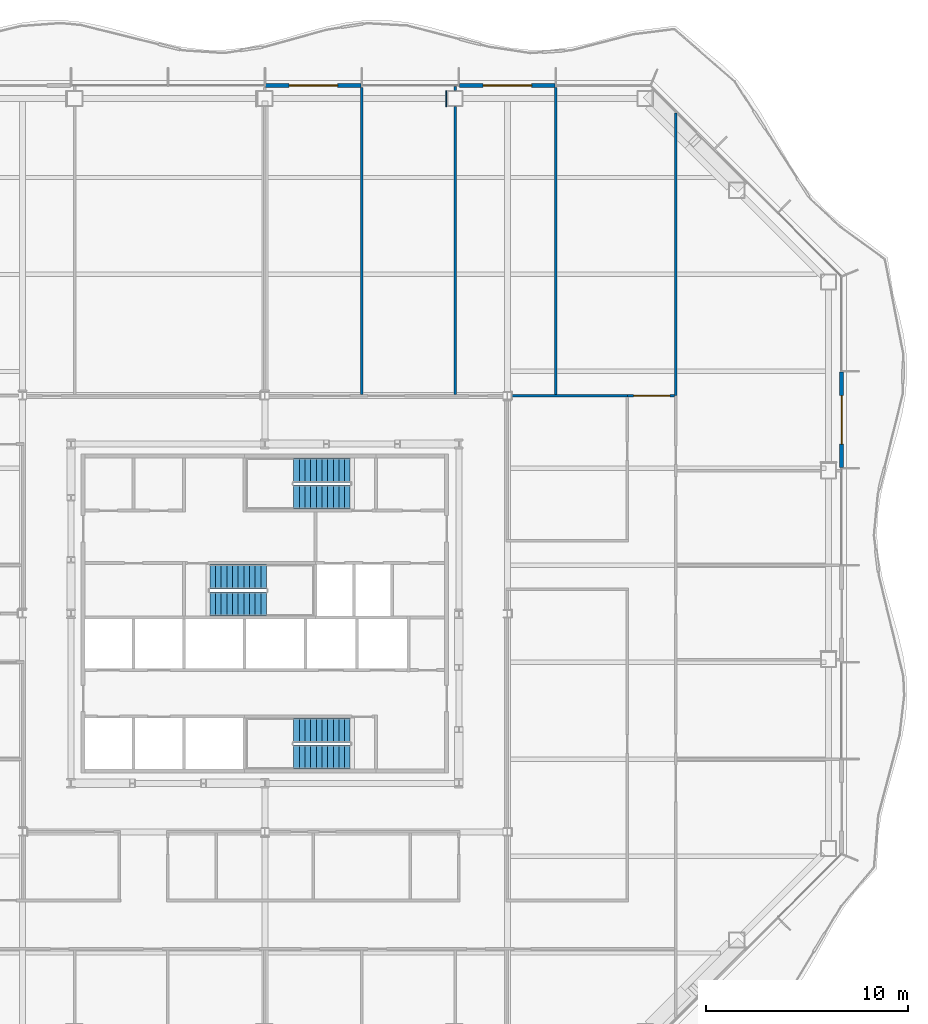
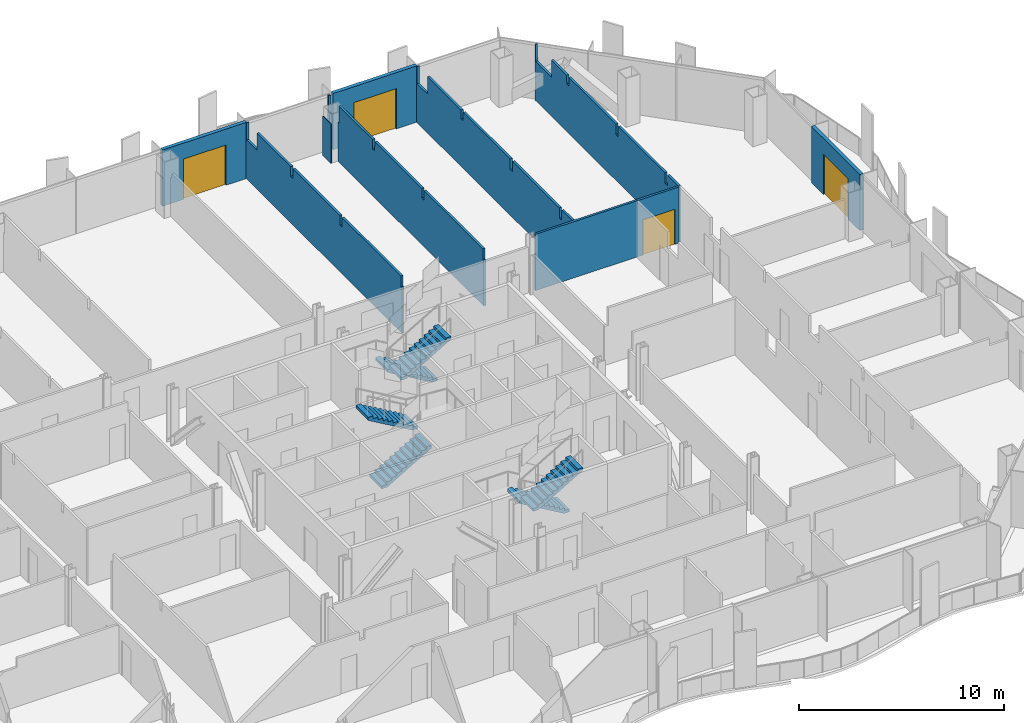
# One storey, part 14 of 23: 11 walls, 6 stair flights, 4 doors, 4 openings, 3 elements without a shape of their own.
"""IFC4 building model written with IfcOpenShell, lengths in metres."""

from ifc_helpers import new_model, si_unit, direction, frame, frame_2d, origin, place, context, subcontext, project, spatial, polyline, rectangle, outline, extrude, material, layer, layer_set, type_object, element, fill, aggregate, save


model = new_model("IFC4")

# Units and contexts
model_context = context("Model", 3, precision=1e-05, world=origin(), true_north=direction((0.0, 1.0)))
body_context = subcontext(model_context, "Body", "Model", "MODEL_VIEW")
ifc_project = project(units=[si_unit("LENGTHUNIT", "METRE"), si_unit("AREAUNIT", "SQUARE_METRE"), si_unit("VOLUMEUNIT", "CUBIC_METRE"), si_unit("PLANEANGLEUNIT", "RADIAN"), si_unit("MASSUNIT", "GRAM", prefix="KILO")], contexts=[model_context])

# Site, building, storey
site_placement = place(None, origin())
site = spatial("IfcSite", under=ifc_project, at=site_placement, CompositionType="ELEMENT")
building_placement = place(site_placement, origin())
building = spatial("IfcBuilding", under=site, at=building_placement, Name="Cairn Pilgrim Tower", CompositionType="ELEMENT")
storey_placement = place(building_placement, frame((0.0, 0.0, 115.800048828125)))
storey = spatial("IfcBuildingStorey", under=building, at=storey_placement, Name="L28", CompositionType="ELEMENT", Elevation=115.800048828125)

# Wall, opening, door
ifc_material_1 = material(Name="Bronze anodised aluminium insulated sandwich panel with mineral wool fill", Category="aluminium")
ifc_layer_1 = layer(ifc_material_1, 0.199951171875)
ifc_layer_set_1 = layer_set([ifc_layer_1], Name="BRONZE INFILL FRAME WALL 200")
wall_type_1 = type_object("IfcWallType", Name="BRONZE INFILL FRAME WALL 200", PredefinedType="NOTDEFINED", material=ifc_layer_set_1)
wall_1_placement = place(storey_placement, frame((35.75, 9.6298828125, 0.0), z_axis=(0.0, 0.0, 1.0), x_axis=(0.0, 1.0, 0.0)))
wall_1 = element("IfcWall", 1, at=wall_1_placement, inside=storey, type_object=wall_type_1, Name="Bronze infill frame wall IW-E5", PredefinedType="NOTDEFINED", context=body_context, shape_type="SweptSolid", body=[
    extrude(rectangle(XDim=4.740234375, YDim=0.199951171875, at=frame_2d((2.3701171875, 0.0))), origin(), (0.0, 0.0, 1.0), 3.349853515625),
])
opening_1_placement = place(wall_1_placement, frame((1.169921875, 0.0, 0.0)))
opening_1 = element("IfcOpeningElement", 2, at=opening_1_placement, cuts=wall_1, Name="Opening 2828B", PredefinedType="OPENING", context=body_context, shape_type="SweptSolid", body=[
    extrude(rectangle(XDim=2.39990234375, YDim=2.39990234375, at=frame_2d((1.199951171875, 1.199951171875))), frame((0.0, 0.10986328125, 0.0), z_axis=(0.0, -1.0, 0.0), x_axis=(1.0, 0.0, 0.0)), (0.0, 0.0, 1.0), 0.219970703125),
])
ifc_material_2 = material(Name="Bronze anodised aluminium frame with tinted low-E glass", Category="aluminium")
door_type_1 = type_object("IfcDoorType", Name="BALCONY SLIDING DOOR 2400x2400", OperationType="DOUBLE_DOOR_SLIDING", PredefinedType="DOOR", material=ifc_material_2)
door_1_placement = place(opening_1_placement, origin())
door_1 = element("IfcDoor", 3, at=door_1_placement, inside=storey, type_object=door_type_1, Name="Balcony sliding door 2828B", OperationType="SINGLE_SWING_LEFT", OverallHeight=2.39990234375, OverallWidth=2.39990234375, PredefinedType="DOOR", context=body_context, shape_type="SweptSolid", body=[
    extrude(rectangle(XDim=2.39990234375, YDim=2.39990234375, at=frame_2d((1.199951171875, 1.199951171875))), frame((0.0, 0.02490234375, 0.0), z_axis=(0.0, -1.0, 0.0), x_axis=(1.0, 0.0, 0.0)), (0.0, 0.0, 1.0), 0.050048828125),
])
fill(opening_1, door_1)

wall_2_placement = place(storey_placement, frame((21.570068359375, 28.550048828125, 0.0), z_axis=(0.0, 0.0, 1.0), x_axis=(-1.0, 0.0, 0.0)))
wall_2 = element("IfcWall", 4, at=wall_2_placement, inside=storey, type_object=wall_type_1, Name="Bronze infill frame wall IW-N2", PredefinedType="NOTDEFINED", context=body_context, shape_type="SweptSolid", body=[
    extrude(rectangle(XDim=4.739990234375, YDim=0.199951171875, at=frame_2d((2.3701171875, 0.0))), origin(), (0.0, 0.0, 1.0), 3.349853515625),
])
opening_2_placement = place(wall_2_placement, frame((1.169921875, 0.0, 0.0)))
opening_2 = element("IfcOpeningElement", 5, at=opening_2_placement, cuts=wall_2, Name="Opening 2822B", PredefinedType="OPENING", context=body_context, shape_type="SweptSolid", body=[
    extrude(rectangle(XDim=2.39990234375, YDim=2.39990234375, at=frame_2d((1.199951171875, 1.199951171875))), frame((0.0, 0.10986328125, 0.0), z_axis=(0.0, -1.0, 0.0), x_axis=(1.0, 0.0, 0.0)), (0.0, 0.0, 1.0), 0.219970703125),
])
door_2_placement = place(opening_2_placement, origin())
door_2 = element("IfcDoor", 6, at=door_2_placement, inside=storey, type_object=door_type_1, Name="Balcony sliding door 2822B", OperationType="SINGLE_SWING_LEFT", OverallHeight=2.39990234375, OverallWidth=2.39990234375, PredefinedType="DOOR", context=body_context, shape_type="SweptSolid", body=[
    extrude(rectangle(XDim=2.39990234375, YDim=2.39990234375, at=frame_2d((1.199951171875, 1.199951171875))), frame((0.0, 0.02490234375, 0.0), z_axis=(0.0, -1.0, 0.0), x_axis=(1.0, 0.0, 0.0)), (0.0, 0.0, 1.0), 0.050048828125),
])
fill(opening_2, door_2)

wall_3_placement = place(storey_placement, frame((11.969970703125, 28.550048828125, 0.0), z_axis=(0.0, 0.0, 1.0), x_axis=(-1.0, 0.0, 0.0)))
wall_3 = element("IfcWall", 7, at=wall_3_placement, inside=storey, type_object=wall_type_1, Name="Bronze infill frame wall IW-N4", PredefinedType="NOTDEFINED", context=body_context, shape_type="SweptSolid", body=[
    extrude(rectangle(XDim=4.739990234375, YDim=0.199951171875, at=frame_2d((2.3701171875, 0.0))), origin(), (0.0, 0.0, 1.0), 3.349853515625),
])
opening_3_placement = place(wall_3_placement, frame((1.169921875, 0.0, 0.0)))
opening_3 = element("IfcOpeningElement", 8, at=opening_3_placement, cuts=wall_3, Name="Opening 2820B", PredefinedType="OPENING", context=body_context, shape_type="SweptSolid", body=[
    extrude(rectangle(XDim=2.39990234375, YDim=2.39990234375, at=frame_2d((1.199951171875, 1.199951171875))), frame((0.0, 0.10986328125, 0.0), z_axis=(0.0, -1.0, 0.0), x_axis=(1.0, 0.0, 0.0)), (0.0, 0.0, 1.0), 0.219970703125),
])
door_3_placement = place(opening_3_placement, origin())
door_3 = element("IfcDoor", 9, at=door_3_placement, inside=storey, type_object=door_type_1, Name="Balcony sliding door 2820B", OperationType="SINGLE_SWING_LEFT", OverallHeight=2.39990234375, OverallWidth=2.39990234375, PredefinedType="DOOR", context=body_context, shape_type="SweptSolid", body=[
    extrude(rectangle(XDim=2.39990234375, YDim=2.39990234375, at=frame_2d((1.199951171875, 1.199951171875))), frame((0.0, 0.02490234375, 0.0), z_axis=(0.0, -1.0, 0.0), x_axis=(1.0, 0.0, 0.0)), (0.0, 0.0, 1.0), 0.050048828125),
])
fill(opening_3, door_3)

# Wall
ifc_material_3 = material(Name="Gypsum partition")
ifc_layer_2 = layer(ifc_material_3, 0.125)
ifc_layer_set_2 = layer_set([ifc_layer_2], Name="PARTITION 125 DRYWALL EI 60")
wall_type_2 = type_object("IfcWallType", Name="PARTITION 125 DRYWALL EI 60", PredefinedType="PARTITIONING", material=ifc_layer_set_2)
wall_4_placement = place(storey_placement, frame((19.404541015625, 13.199951171875, 0.0), z_axis=(0.0, 0.0, 1.0), x_axis=(1.0, 0.0, 0.0)))
element("IfcWall", 10, at=wall_4_placement, inside=storey, type_object=wall_type_2, Name="PARTITION W068", PredefinedType="PARTITIONING", context=body_context, shape_type="SweptSolid", body=[
    extrude(rectangle(XDim=5.745361328125, YDim=0.125, at=frame_2d((2.87255859375, 0.0))), origin(), (0.0, 0.0, 1.0), 3.349853515625),
])

# Wall, opening, door
wall_5_placement = place(storey_placement, frame((25.14990234375, 13.199951171875, 0.0), z_axis=(0.0, 0.0, 1.0), x_axis=(1.0, 0.0, 0.0)))
wall_5 = element("IfcWall", 11, at=wall_5_placement, inside=storey, type_object=wall_type_2, Name="PARTITION W069", PredefinedType="PARTITIONING", context=body_context, shape_type="SweptSolid", body=[
    extrude(rectangle(XDim=2.337646484375, YDim=0.125, at=frame_2d((1.1689453125, 0.0))), origin(), (0.0, 0.0, 1.0), 3.349853515625),
])
opening_4_placement = place(wall_5_placement, frame((0.300048828125, 0.0, 0.0)))
opening_4 = element("IfcOpeningElement", 12, at=opening_4_placement, cuts=wall_5, Name="Opening 2823", PredefinedType="OPENING", context=body_context, shape_type="SweptSolid", body=[
    extrude(rectangle(XDim=1.800048828125, YDim=2.10009765625, at=frame_2d((0.89990234375, 1.050048828125))), frame((0.0, 0.072509765625, 0.0), z_axis=(0.0, -1.0, 0.0), x_axis=(1.0, 0.0, 0.0)), (0.0, 0.0, 1.0), 0.14501953125),
])
ifc_material_4 = material(Name="Timber door leaf", Category="wood")
door_type_2 = type_object("IfcDoorType", Name="DOOR PAIR 1800x2100 FD30S", OperationType="NOTDEFINED", PredefinedType="DOOR", material=ifc_material_4)
door_4_placement = place(opening_4_placement, origin())
door_4 = element("IfcDoor", 13, at=door_4_placement, inside=storey, type_object=door_type_2, Name="DOOR 2823", OperationType="DOUBLE_DOOR_SINGLE_SWING", OverallHeight=2.10009765625, OverallWidth=1.800048828125, PredefinedType="DOOR", context=body_context, shape_type="SweptSolid", body=[
    extrude(rectangle(XDim=1.800048828125, YDim=2.10009765625, at=frame_2d((0.89990234375, 1.050048828125))), frame((0.0, 0.02490234375, 0.0), z_axis=(0.0, -1.0, 0.0), x_axis=(1.0, 0.0, 0.0)), (0.0, 0.0, 1.0), 0.050048828125),
])
fill(opening_4, door_4)

# Walls
wall_6_placement = place(storey_placement, frame((27.550048828125, 13.199951171875, 0.0), z_axis=(0.0, 0.0, 1.0), x_axis=(0.0, 1.0, 0.0)))
element("IfcWall", 14, at=wall_6_placement, inside=storey, type_object=wall_type_2, Name="PARTITION W070", PredefinedType="PARTITIONING", context=body_context, shape_type="SweptSolid", body=[
    extrude(outline(polyline([(0.0, 0.0), (13.98876953125, 0.0), (13.988525390625, 3.349853515625), (13.94677734375, 3.349853515625), (13.94482421875, 2.329833984375), (12.40771484375, 2.329833984375), (12.405517578125, 3.349853515625), (10.89990234375, 3.349853515625), (10.89794921875, 2.829833984375), (10.699951171875, 2.829833984375), (10.697998046875, 3.349853515625), (6.110107421875, 3.349853515625), (6.10791015625, 2.72998046875), (5.889892578125, 2.72998046875), (5.887939453125, 3.349853515625), (1.31005859375, 3.349853515625), (1.30810546875, 2.72998046875), (1.090087890625, 2.72998046875), (1.087890625, 3.349853515625), (0.0, 3.349853515625), (0.0, 0.0)])), frame((0.0, 0.0625, 0.0), z_axis=(0.0, -1.0, 0.0), x_axis=(1.0, 0.0, 0.0)), (0.0, 0.0, 1.0), 0.125),
])
wall_7_placement = place(storey_placement, frame((12.0, 13.262451171875, 0.0), z_axis=(0.0, 0.0, 1.0), x_axis=(0.0, 1.0, 0.0)))
element("IfcWall", 15, at=wall_7_placement, inside=storey, type_object=wall_type_2, Name="PARTITION W074", PredefinedType="PARTITIONING", context=body_context, shape_type="SweptSolid", body=[
    extrude(outline(polyline([(0.0, 0.0), (15.1875, 0.0), (15.1875, 3.349853515625), (15.137451171875, 3.349853515625), (15.135498046875, 2.329833984375), (14.137451171875, 2.329833984375), (14.135498046875, 3.349853515625), (10.842529296875, 3.349853515625), (10.840576171875, 2.780029296875), (10.632568359375, 2.780029296875), (10.630615234375, 3.349853515625), (6.04248046875, 3.349853515625), (6.04052734375, 2.780029296875), (5.83251953125, 2.780029296875), (5.83056640625, 3.349853515625), (0.08740234375, 3.349853515625), (0.08544921875, 2.72998046875), (0.0, 2.72998046875), (0.0, 0.0)])), frame((0.0, 0.0625, 0.0), z_axis=(0.0, -1.0, 0.0), x_axis=(1.0, 0.0, 0.0)), (0.0, 0.0, 1.0), 0.125),
])
wall_8_placement = place(storey_placement, frame((16.614013671875, 13.262451171875, 0.0), z_axis=(0.0, 0.0, 1.0), x_axis=(0.0, 1.0, 0.0)))
element("IfcWall", 16, at=wall_8_placement, inside=storey, type_object=wall_type_2, Name="PARTITION W075", PredefinedType="PARTITIONING", context=body_context, shape_type="SweptSolid", body=[
    extrude(outline(polyline([(0.0, 0.0), (14.237548828125, 0.0), (14.237548828125, 2.329833984375), (14.137451171875, 2.329833984375), (14.135498046875, 3.349853515625), (10.842529296875, 3.349853515625), (10.840576171875, 2.780029296875), (10.632568359375, 2.780029296875), (10.630615234375, 3.349853515625), (6.04248046875, 3.349853515625), (6.04052734375, 2.780029296875), (5.83251953125, 2.780029296875), (5.83056640625, 3.349853515625), (0.08740234375, 3.349853515625), (0.08544921875, 2.72998046875), (0.0, 2.72998046875), (0.0, 0.0)])), frame((0.0, 0.0625, 0.0), z_axis=(0.0, -1.0, 0.0), x_axis=(1.0, 0.0, 0.0)), (0.0, 0.0, 1.0), 0.125),
])
wall_9_placement = place(storey_placement, frame((21.60009765625, 13.262451171875, 0.0), z_axis=(0.0, 0.0, 1.0), x_axis=(0.0, 1.0, 0.0)))
element("IfcWall", 17, at=wall_9_placement, inside=storey, type_object=wall_type_2, Name="PARTITION W076", PredefinedType="PARTITIONING", context=body_context, shape_type="SweptSolid", body=[
    extrude(outline(polyline([(0.0, 0.0), (15.1875, 0.0), (15.1875, 3.349853515625), (15.137451171875, 3.349853515625), (15.135498046875, 2.329833984375), (14.137451171875, 2.329833984375), (14.135498046875, 3.349853515625), (10.83740234375, 3.349853515625), (10.83544921875, 2.829833984375), (10.637451171875, 2.829833984375), (10.635498046875, 3.349853515625), (6.047607421875, 3.349853515625), (6.04541015625, 2.72998046875), (5.827392578125, 2.72998046875), (5.825439453125, 3.349853515625), (1.24755859375, 3.349853515625), (1.24560546875, 2.72998046875), (1.027587890625, 2.72998046875), (1.025390625, 3.349853515625), (0.0, 3.349853515625), (0.0, 0.0)])), frame((0.0, 0.0625, 0.0), z_axis=(0.0, -1.0, 0.0), x_axis=(1.0, 0.0, 0.0)), (0.0, 0.0, 1.0), 0.125),
])
wall_10_placement = place(storey_placement, frame((16.614013671875, 28.300048828125, 0.0), z_axis=(0.0, 0.0, 1.0), x_axis=(0.0, 1.0, 0.0)))
element("IfcWall", 18, at=wall_10_placement, inside=storey, type_object=wall_type_2, Name="PARTITION W084", PredefinedType="PARTITIONING", context=body_context, shape_type="SweptSolid", body=[
    extrude(outline(polyline([(0.0, 0.0), (0.202880859375, 0.0), (0.202880859375, 3.349853515625), (0.10009765625, 3.349853515625), (0.097900390625, 2.329833984375), (0.0, 2.329833984375), (0.0, 0.0)])), frame((0.0, 0.0625, 0.0), z_axis=(0.0, -1.0, 0.0), x_axis=(1.0, 0.0, 0.0)), (0.0, 0.0, 1.0), 0.125),
])
ifc_layer_3 = layer(ifc_material_3, 0.050048828125)
ifc_layer_set_3 = layer_set([ifc_layer_3], Name="PARTITION 50 DRYWALL EI 60")
wall_type_3 = type_object("IfcWallType", Name="PARTITION 50 DRYWALL EI 60", PredefinedType="PARTITIONING", material=ifc_layer_set_3)
wall_11_placement = place(storey_placement, frame((16.188720703125, 27.5, 0.0), z_axis=(0.0, 0.0, 1.0), x_axis=(0.0, 1.0, 0.0)))
element("IfcWall", 19, at=wall_11_placement, inside=storey, type_object=wall_type_3, Name="COLUMN CASING WC32", PredefinedType="PARTITIONING", context=body_context, shape_type="SweptSolid", body=[
    extrude(rectangle(XDim=0.800048828125, YDim=0.050048828125, at=frame_2d((0.39990234375, 0.0))), origin(), (0.0, 0.0, 1.0), 2.329833984375),
])

# Stair, stair flights
ifc_material_5 = material(Name="Concrete C32/40", Category="concrete")
stair_type = type_object("IfcStairType", Name="EXIT STAIR 1200", PredefinedType="HALF_TURN_STAIR", material=ifc_material_5)
stair_1_placement = place(storey_placement, origin())
stair_1 = element("IfcStair", 20, at=stair_1_placement, inside=storey, type_object=stair_type, Name="L28 Exit Stair A", PredefinedType="HALF_TURN_STAIR")
stair_flight_type = type_object("IfcStairFlightType", Name="STAIR FLIGHT 1200", PredefinedType="STRAIGHT", material=ifc_material_5)
stair_flight_1_placement = place(storey_placement, frame((11.425048828125, -3.375, 0.0), z_axis=(0.0, 0.0, 1.0), x_axis=(-1.0, 0.0, 0.0)))
stair_flight_1 = element("IfcStairFlight", 21, at=stair_flight_1_placement, type_object=stair_flight_type, Name="ST-A flight 1", NumberOfRisers=11, NumberOfTreads=10, PredefinedType="STRAIGHT", RiserHeight=0.163636364, TreadLength=0.28, context=body_context, shape_type="SweptSolid", body=[
    extrude(outline(polyline([(0.0, 0.0), (0.0, 0.16357421875), (0.280029296875, 0.16357421875), (0.280029296875, 0.327392578125), (0.56005859375, 0.327392578125), (0.56005859375, 0.490966796875), (0.840087890625, 0.490966796875), (0.840087890625, 0.654541015625), (1.1201171875, 0.654541015625), (1.1201171875, 0.818115234375), (1.39990234375, 0.818115234375), (1.39990234375, 0.98193359375), (1.679931640625, 0.98193359375), (1.679931640625, 1.1455078125), (1.9599609375, 1.1455078125), (1.9599609375, 1.30908203125), (2.239990234375, 1.30908203125), (2.239990234375, 1.47265625), (2.52001953125, 1.47265625), (2.52001953125, 1.636474609375), (2.800048828125, 1.636474609375), (2.800048828125, 1.800048828125), (2.800048828125, 1.462646484375), (0.297119140625, 0.0), (0.0, 0.0)])), frame((0.0, 0.60009765625, 0.0), z_axis=(0.0, -1.0, 0.0), x_axis=(1.0, 0.0, 0.0)), (0.0, 0.0, 1.0), 1.199951171875),
])
stair_flight_2_placement = place(storey_placement, frame((8.625, -4.699951171875, 1.800048828125), z_axis=(0.0, 0.0, 1.0), x_axis=(1.0, 0.0, 0.0)))
stair_flight_2 = element("IfcStairFlight", 22, at=stair_flight_2_placement, type_object=stair_flight_type, Name="ST-A flight 2", NumberOfRisers=11, NumberOfTreads=10, PredefinedType="STRAIGHT", RiserHeight=0.163636364, TreadLength=0.28, context=body_context, shape_type="SweptSolid", body=[
    extrude(outline(polyline([(0.0, 0.0), (0.0, 0.16357421875), (0.280029296875, 0.16357421875), (0.280029296875, 0.327392578125), (0.56005859375, 0.327392578125), (0.56005859375, 0.490966796875), (0.840087890625, 0.490966796875), (0.840087890625, 0.654541015625), (1.1201171875, 0.654541015625), (1.1201171875, 0.818115234375), (1.39990234375, 0.818115234375), (1.39990234375, 0.98193359375), (1.679931640625, 0.98193359375), (1.679931640625, 1.1455078125), (1.9599609375, 1.1455078125), (1.9599609375, 1.30908203125), (2.239990234375, 1.30908203125), (2.239990234375, 1.47265625), (2.52001953125, 1.47265625), (2.52001953125, 1.636474609375), (2.800048828125, 1.636474609375), (2.800048828125, 1.800048828125), (2.800048828125, 1.462646484375), (0.297119140625, 0.0), (0.0, 0.0)])), frame((0.0, 0.60009765625, 0.0), z_axis=(0.0, -1.0, 0.0), x_axis=(1.0, 0.0, 0.0)), (0.0, 0.0, 1.0), 1.199951171875),
])
aggregate(stair_1, [stair_flight_1, stair_flight_2])

stair_2_placement = place(storey_placement, origin())
stair_2 = element("IfcStair", 23, at=stair_2_placement, inside=storey, type_object=stair_type, Name="L28 Exit Stair B", PredefinedType="HALF_TURN_STAIR")
stair_flight_3_placement = place(storey_placement, frame((4.47509765625, 2.875, 0.0), z_axis=(0.0, 0.0, 1.0), x_axis=(1.0, 0.0, 0.0)))
stair_flight_3 = element("IfcStairFlight", 24, at=stair_flight_3_placement, type_object=stair_flight_type, Name="ST-B flight 1", NumberOfRisers=11, NumberOfTreads=10, PredefinedType="STRAIGHT", RiserHeight=0.163636364, TreadLength=0.28, context=body_context, shape_type="SweptSolid", body=[
    extrude(outline(polyline([(0.0, 0.0), (0.0, 0.16357421875), (0.280029296875, 0.16357421875), (0.280029296875, 0.327392578125), (0.56005859375, 0.327392578125), (0.56005859375, 0.490966796875), (0.840087890625, 0.490966796875), (0.840087890625, 0.654541015625), (1.1201171875, 0.654541015625), (1.1201171875, 0.818115234375), (1.39990234375, 0.818115234375), (1.39990234375, 0.98193359375), (1.679931640625, 0.98193359375), (1.679931640625, 1.1455078125), (1.9599609375, 1.1455078125), (1.9599609375, 1.30908203125), (2.239990234375, 1.30908203125), (2.239990234375, 1.47265625), (2.52001953125, 1.47265625), (2.52001953125, 1.636474609375), (2.800048828125, 1.636474609375), (2.800048828125, 1.800048828125), (2.800048828125, 1.462646484375), (0.297119140625, 0.0), (0.0, 0.0)])), frame((0.0, 0.60009765625, 0.0), z_axis=(0.0, -1.0, 0.0), x_axis=(1.0, 0.0, 0.0)), (0.0, 0.0, 1.0), 1.199951171875),
])
stair_flight_4_placement = place(storey_placement, frame((7.27490234375, 4.22509765625, 1.800048828125), z_axis=(0.0, 0.0, 1.0), x_axis=(-1.0, 0.0, 0.0)))
stair_flight_4 = element("IfcStairFlight", 25, at=stair_flight_4_placement, type_object=stair_flight_type, Name="ST-B flight 2", NumberOfRisers=11, NumberOfTreads=10, PredefinedType="STRAIGHT", RiserHeight=0.163636364, TreadLength=0.28, context=body_context, shape_type="SweptSolid", body=[
    extrude(outline(polyline([(0.0, 0.0), (0.0, 0.16357421875), (0.280029296875, 0.16357421875), (0.280029296875, 0.327392578125), (0.56005859375, 0.327392578125), (0.56005859375, 0.490966796875), (0.840087890625, 0.490966796875), (0.840087890625, 0.654541015625), (1.1201171875, 0.654541015625), (1.1201171875, 0.818115234375), (1.39990234375, 0.818115234375), (1.39990234375, 0.98193359375), (1.679931640625, 0.98193359375), (1.679931640625, 1.1455078125), (1.9599609375, 1.1455078125), (1.9599609375, 1.30908203125), (2.239990234375, 1.30908203125), (2.239990234375, 1.47265625), (2.52001953125, 1.47265625), (2.52001953125, 1.636474609375), (2.800048828125, 1.636474609375), (2.800048828125, 1.800048828125), (2.800048828125, 1.462646484375), (0.297119140625, 0.0), (0.0, 0.0)])), frame((0.0, 0.60009765625, 0.0), z_axis=(0.0, -1.0, 0.0), x_axis=(1.0, 0.0, 0.0)), (0.0, 0.0, 1.0), 1.199951171875),
])
aggregate(stair_2, [stair_flight_3, stair_flight_4])

stair_3_placement = place(storey_placement, origin())
stair_3 = element("IfcStair", 26, at=stair_3_placement, inside=storey, type_object=stair_type, Name="L28 Exit Stair C", PredefinedType="HALF_TURN_STAIR")
stair_flight_5_placement = place(storey_placement, frame((11.425048828125, 9.5, 0.0), z_axis=(0.0, 0.0, 1.0), x_axis=(-1.0, 0.0, 0.0)))
stair_flight_5 = element("IfcStairFlight", 27, at=stair_flight_5_placement, type_object=stair_flight_type, Name="ST-C flight 1", NumberOfRisers=11, NumberOfTreads=10, PredefinedType="STRAIGHT", RiserHeight=0.163636364, TreadLength=0.28, context=body_context, shape_type="SweptSolid", body=[
    extrude(outline(polyline([(0.0, 0.0), (0.0, 0.16357421875), (0.280029296875, 0.16357421875), (0.280029296875, 0.327392578125), (0.56005859375, 0.327392578125), (0.56005859375, 0.490966796875), (0.840087890625, 0.490966796875), (0.840087890625, 0.654541015625), (1.1201171875, 0.654541015625), (1.1201171875, 0.818115234375), (1.39990234375, 0.818115234375), (1.39990234375, 0.98193359375), (1.679931640625, 0.98193359375), (1.679931640625, 1.1455078125), (1.9599609375, 1.1455078125), (1.9599609375, 1.30908203125), (2.239990234375, 1.30908203125), (2.239990234375, 1.47265625), (2.52001953125, 1.47265625), (2.52001953125, 1.636474609375), (2.800048828125, 1.636474609375), (2.800048828125, 1.800048828125), (2.800048828125, 1.462646484375), (0.297119140625, 0.0), (0.0, 0.0)])), frame((0.0, 0.60009765625, 0.0), z_axis=(0.0, -1.0, 0.0), x_axis=(1.0, 0.0, 0.0)), (0.0, 0.0, 1.0), 1.199951171875),
])
stair_flight_6_placement = place(storey_placement, frame((8.625, 8.175048828125, 1.800048828125), z_axis=(0.0, 0.0, 1.0), x_axis=(1.0, 0.0, 0.0)))
stair_flight_6 = element("IfcStairFlight", 28, at=stair_flight_6_placement, type_object=stair_flight_type, Name="ST-C flight 2", NumberOfRisers=11, NumberOfTreads=10, PredefinedType="STRAIGHT", RiserHeight=0.163636364, TreadLength=0.28, context=body_context, shape_type="SweptSolid", body=[
    extrude(outline(polyline([(0.0, 0.0), (0.0, 0.16357421875), (0.280029296875, 0.16357421875), (0.280029296875, 0.327392578125), (0.56005859375, 0.327392578125), (0.56005859375, 0.490966796875), (0.840087890625, 0.490966796875), (0.840087890625, 0.654541015625), (1.1201171875, 0.654541015625), (1.1201171875, 0.818115234375), (1.39990234375, 0.818115234375), (1.39990234375, 0.98193359375), (1.679931640625, 0.98193359375), (1.679931640625, 1.1455078125), (1.9599609375, 1.1455078125), (1.9599609375, 1.30908203125), (2.239990234375, 1.30908203125), (2.239990234375, 1.47265625), (2.52001953125, 1.47265625), (2.52001953125, 1.636474609375), (2.800048828125, 1.636474609375), (2.800048828125, 1.800048828125), (2.800048828125, 1.462646484375), (0.297119140625, 0.0), (0.0, 0.0)])), frame((0.0, 0.60009765625, 0.0), z_axis=(0.0, -1.0, 0.0), x_axis=(1.0, 0.0, 0.0)), (0.0, 0.0, 1.0), 1.199951171875),
])
aggregate(stair_3, [stair_flight_5, stair_flight_6])

save(model, "model.ifc")
